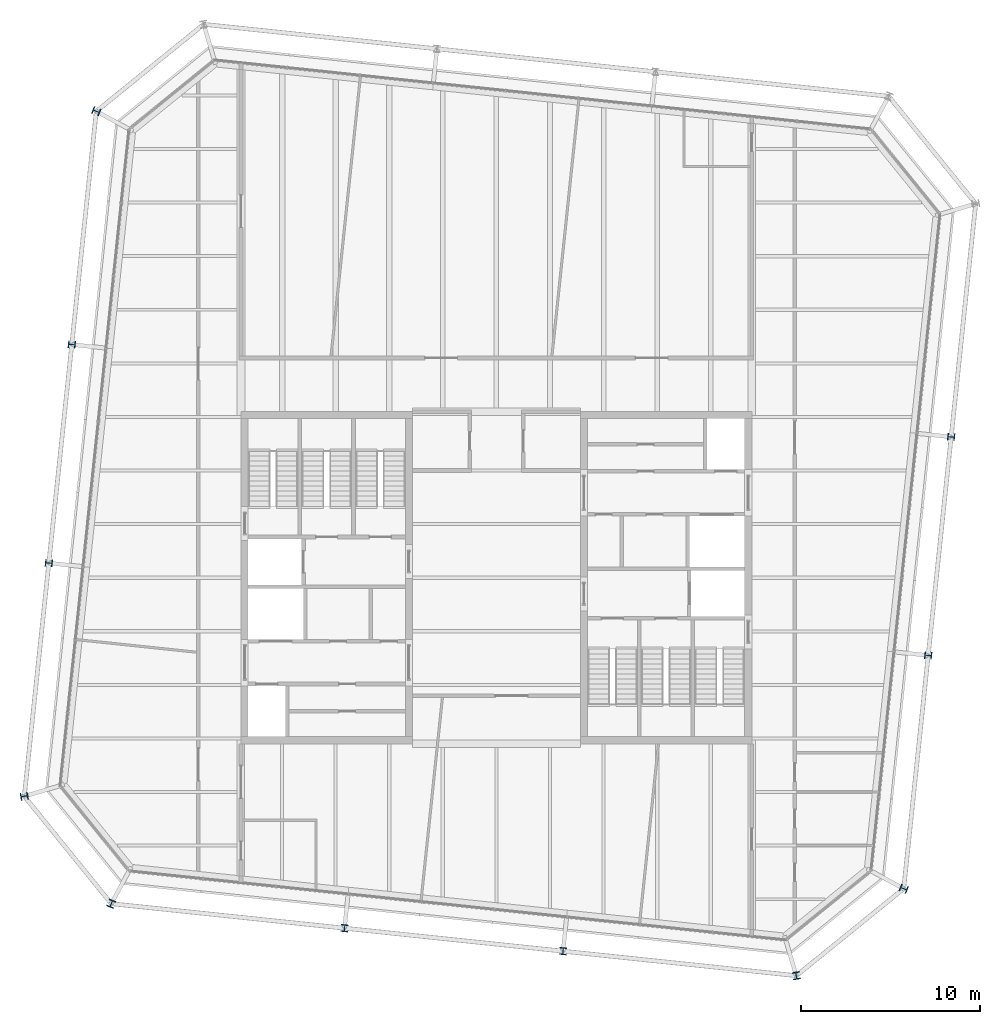
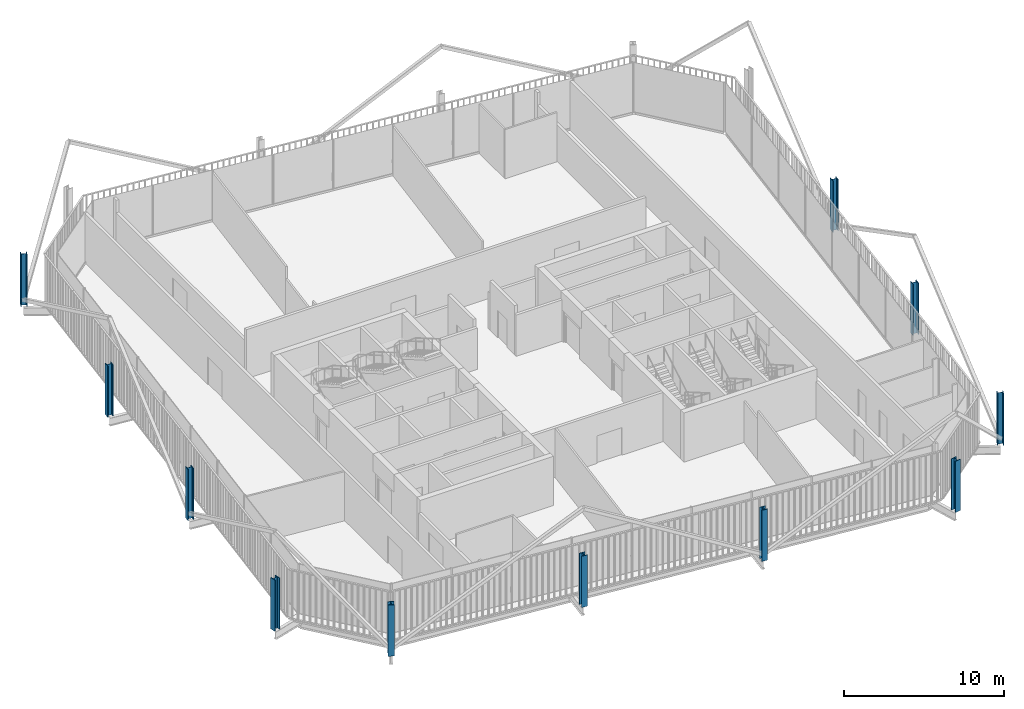
# One storey, part 1 of 21: 11 columns.
"""IFC4 building model written with IfcOpenShell, lengths in metres."""

from ifc_helpers import new_model, si_unit, direction, frame, origin, origin_2d, place, context, subcontext, project, spatial, i_section, extrude, material, material_profile, profile_set, type_object, element, save


model = new_model("IFC4")

# Units and contexts
model_context = context("Model", 3, precision=1e-05, world=origin(), true_north=direction((0.0, 1.0)))
body_context = subcontext(model_context, "Body", "Model", "MODEL_VIEW")
ifc_project = project(units=[si_unit("LENGTHUNIT", "METRE"), si_unit("AREAUNIT", "SQUARE_METRE"), si_unit("VOLUMEUNIT", "CUBIC_METRE"), si_unit("PLANEANGLEUNIT", "RADIAN"), si_unit("MASSUNIT", "GRAM", prefix="KILO")], contexts=[model_context])

# Site, building, storey
site_placement = place(None, origin())
site = spatial("IfcSite", under=ifc_project, at=site_placement, CompositionType="ELEMENT")
building_placement = place(site_placement, origin())
building = spatial("IfcBuilding", under=site, at=building_placement, Name="Millrace Tower", CompositionType="ELEMENT")
storey_placement = place(building_placement, frame((0.0, 0.0, 299.39990234375)))
storey = spatial("IfcBuildingStorey", under=building, at=storey_placement, Name="L69", CompositionType="ELEMENT", Elevation=299.39990234375)

# Columns
ifc_material_1 = material(Name="Steel ASTM A913 Grade 65", Category="steel")
ifc_material_profile_1 = material_profile(ifc_material_1, i_section(OverallWidth=0.4013671875, OverallDepth=0.398681640625, WebThickness=0.02490234375, FlangeThickness=0.03955078125, FilletRadius=0.01513671875, at=origin_2d()))
ifc_profile_set_1 = profile_set([ifc_material_profile_1], Name="Steel ASTM A913 Grade 65")
column_type_1 = type_object("IfcColumnType", Name="Exoskeleton column W14x211", PredefinedType="COLUMN", material=ifc_profile_set_1)
for number, where, z_axis, x_axis, name in (
    (1, (-8.50341796875, -19.62158203125, 0.0), (0.0, 0.0, 1.0), (0.994521897246, -0.104528445407, 0.0), "COL-E-L69-X03"),
    (2, (3.729248046875, -20.9072265625, 0.0), (0.0, 0.0, 1.0), (0.994521897246, -0.104528445407, 0.0), "COL-E-L69-X04"),
    (3, (24.171630859375, -4.353271484375, 0.0), (0.0, 0.0, 1.0), (0.104528445407, 0.994521897246, 0.0), "COL-E-L69-X07"),
    (4, (25.457275390625, 7.879150390625, 0.0), (0.0, 0.0, 1.0), (0.104528445407, 0.994521897246, 0.0), "COL-E-L69-X08"),
    (5, (-23.771484375, 13.053466796875, 0.0), (0.0, 0.0, 1.0), (-0.104528445407, -0.994521897246, 0.0), "COL-E-L69-X15"),
    (6, (-25.057373046875, 0.82080078125, 0.0), (0.0, 0.0, 1.0), (-0.104528445407, -0.994521897246, 0.0), "COL-E-L69-X16"),
):
    element("IfcColumn", number, at=place(storey_placement, frame(where, z_axis=z_axis, x_axis=x_axis)), inside=storey, type_object=column_type_1, Name=name, PredefinedType="COLUMN", context=body_context, shape_type="SweptSolid", body=[
        extrude(i_section(OverallWidth=0.4013671875, OverallDepth=0.398681640625, WebThickness=0.02490234375, FlangeThickness=0.03955078125, FilletRadius=0.01513671875, at=origin_2d()), origin(), (0.0, 0.0, 1.0), 3.900146484375),
    ])
ifc_material_2 = material(Name="Steel ASTM A913 Grade 65", Category="steel")
ifc_material_profile_2 = material_profile(ifc_material_2, i_section(OverallWidth=0.406494140625, OverallDepth=0.41650390625, WebThickness=0.030029296875, FlangeThickness=0.048095703125, FilletRadius=0.01513671875, at=origin_2d()))
ifc_profile_set_2 = profile_set([ifc_material_profile_2], Name="Steel ASTM A913 Grade 65")
column_type_2 = type_object("IfcColumnType", Name="Exoskeleton column W14x257", PredefinedType="COLUMN", material=ifc_profile_set_2)
for number, where, z_axis, x_axis, name in (
    (7, (-26.429443359375, -12.23583984375, 0.0), (0.0, 0.0, 1.0), (0.18038747256, -0.983595628164, 0.0), "COL-E-L69-X01"),
    (8, (-21.559814453125, -18.249267578125, 0.0), (0.0, 0.0, 1.0), (0.92459700658, -0.380946683176, 0.0), "COL-E-L69-X02"),
    (9, (16.78564453125, -22.279541015625, 0.0), (0.0, 0.0, 1.0), (0.983595628164, 0.18038747256, 0.0), "COL-E-L69-X05"),
    (10, (22.79931640625, -17.409912109375, 0.0), (0.0, 0.0, 1.0), (0.380946683176, 0.92459700658, 0.0), "COL-E-L69-X06"),
    (11, (-22.399169921875, 26.10986328125, 0.0), (0.0, 0.0, 1.0), (-0.380946683176, -0.92459700658, 0.0), "COL-E-L69-X14"),
):
    element("IfcColumn", number, at=place(storey_placement, frame(where, z_axis=z_axis, x_axis=x_axis)), inside=storey, type_object=column_type_2, Name=name, PredefinedType="COLUMN", context=body_context, shape_type="SweptSolid", body=[
        extrude(i_section(OverallWidth=0.406494140625, OverallDepth=0.41650390625, WebThickness=0.030029296875, FlangeThickness=0.048095703125, FilletRadius=0.01513671875, at=origin_2d()), origin(), (0.0, 0.0, 1.0), 3.900146484375),
    ])

save(model, "model.ifc")
